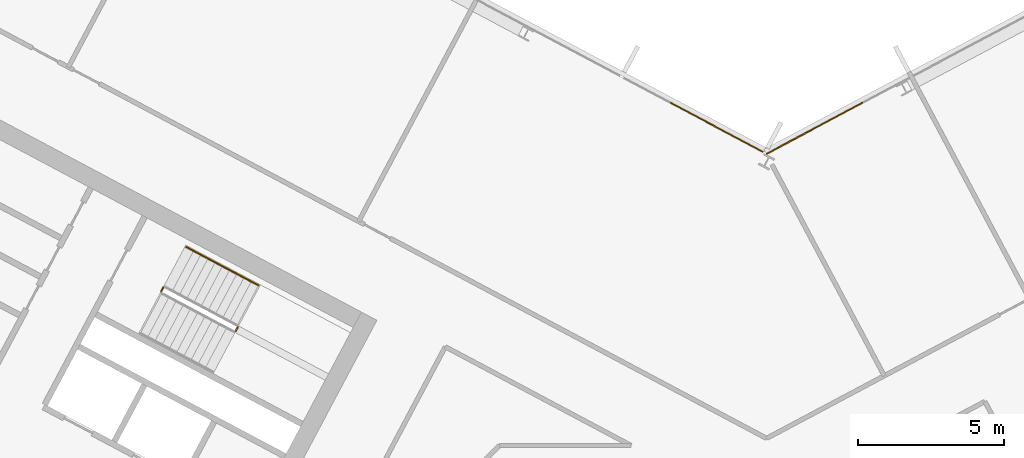
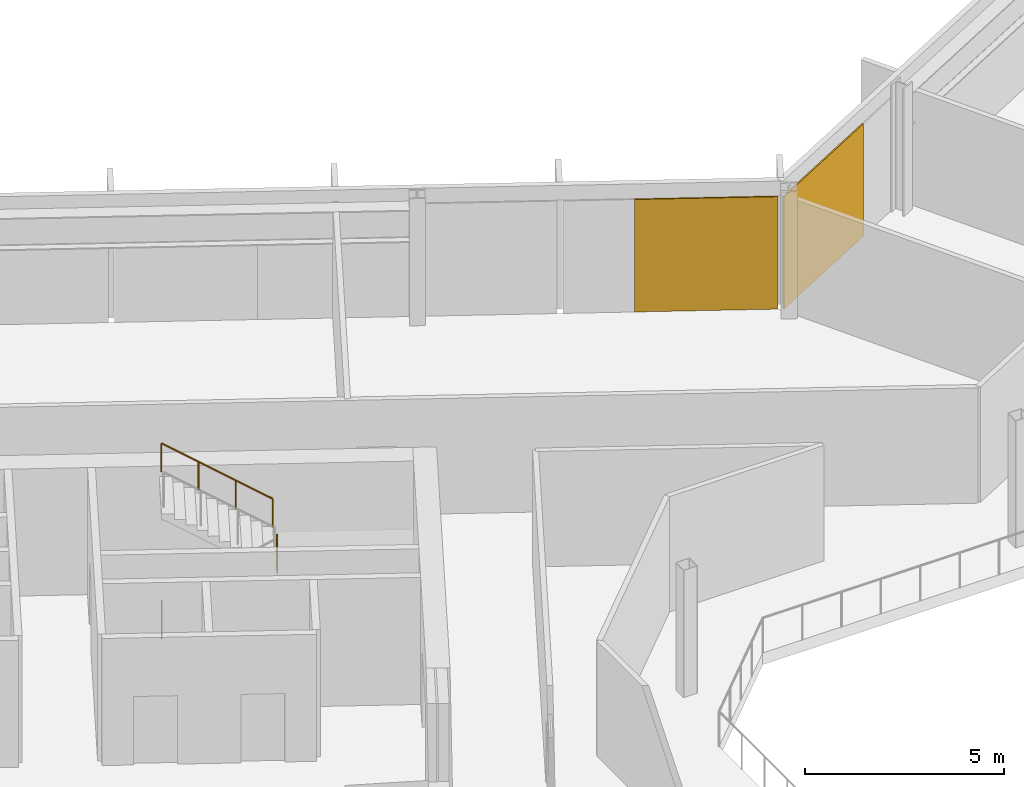
# One storey, part 23 of 27: 3 railings, 2 coverings, 2 elements without a shape of their own.
"""IFC4 building model written with IfcOpenShell, lengths in metres."""

from ifc_helpers import new_model, si_unit, direction, frame, origin, origin_2d, place, context, subcontext, project, spatial, polyline, rectangle, outline, extrude, material, layer, layer_set, type_object, element, aggregate, save


model = new_model("IFC4")

# Units and contexts
model_context = context("Model", 3, precision=1e-05, world=origin(), true_north=direction((0.0, 1.0)))
body_context = subcontext(model_context, "Body", "Model", "MODEL_VIEW")
ifc_project = project(units=[si_unit("LENGTHUNIT", "METRE"), si_unit("AREAUNIT", "SQUARE_METRE"), si_unit("VOLUMEUNIT", "CUBIC_METRE"), si_unit("PLANEANGLEUNIT", "RADIAN"), si_unit("MASSUNIT", "GRAM", prefix="KILO")], contexts=[model_context])

# Site, building, storey
site_placement = place(None, origin())
site = spatial("IfcSite", under=ifc_project, at=site_placement, CompositionType="ELEMENT")
building_placement = place(site_placement, origin())
building = spatial("IfcBuilding", under=site, at=building_placement, Name="Cormorant Relay Tower", CompositionType="ELEMENT")
storey_placement = place(building_placement, frame((0.0, 0.0, 209.10009765625)))
storey = spatial("IfcBuildingStorey", under=building, at=storey_placement, Name="L45", CompositionType="ELEMENT", Elevation=209.10009765625)

# Curtain wall, covering
ifc_material_1 = material(Name="Aluminium 6063-T6 anodised bronze", Category="aluminium")
ifc_layer_1 = layer(ifc_material_1, 0.199951171875)
ifc_layer_set_1 = layer_set([ifc_layer_1], Name="CW1 unitised bronze curtain wall with vertical fins")
curtain_wall_type = type_object("IfcCurtainWallType", Name="CW1 unitised bronze curtain wall with vertical fins", PredefinedType="NOTDEFINED", material=ifc_layer_set_1)
curtain_wall_1_placement = place(storey_placement, origin())
curtain_wall_1 = element("IfcCurtainWall", 1, at=curtain_wall_1_placement, inside=storey, type_object=curtain_wall_type, Name="CW1 curtain wall 8", PredefinedType="NOTDEFINED")
ifc_material_2 = material(Name="Pale bronze anodised aluminium insulated panel", Category="aluminium")
ifc_layer_2 = layer(ifc_material_2, 0.0400390625)
ifc_layer_set_2 = layer_set([ifc_layer_2], Name="CW1 pale bronze insulated panel 40")
covering_type = type_object("IfcCoveringType", Name="CW1 pale bronze insulated panel 40", PredefinedType="CLADDING", material=ifc_layer_set_2)
covering_1_placement = place(storey_placement, frame((1.65234375, 24.685302734375, 0.0), z_axis=(0.0, 0.0, 1.0), x_axis=(-0.882947592859, -0.469471562786, 0.0)))
covering_1 = element("IfcCovering", 2, at=covering_1_placement, type_object=covering_type, Name="CW1 panel S08", PredefinedType="CLADDING", context=body_context, shape_type="SweptSolid", body=[
    extrude(rectangle(XDim=3.763916015625, YDim=0.0400390625, at=origin_2d()), origin(), (0.0, 0.0, 1.0), 3.449951171875),
])
aggregate(curtain_wall_1, [covering_1])

curtain_wall_2_placement = place(storey_placement, origin())
curtain_wall_2 = element("IfcCurtainWall", 3, at=curtain_wall_2_placement, inside=storey, type_object=curtain_wall_type, Name="CW1 curtain wall 9", PredefinedType="NOTDEFINED")
covering_2_placement = place(storey_placement, frame((-1.718505859375, 24.720458984375, 0.0), z_axis=(0.0, 0.0, 1.0), x_axis=(-0.882947592859, 0.469471562786, 0.0)))
covering_2 = element("IfcCovering", 4, at=covering_2_placement, type_object=covering_type, Name="CW1 panel S00", PredefinedType="CLADDING", context=body_context, shape_type="SweptSolid", body=[
    extrude(rectangle(XDim=3.614013671875, YDim=0.0400390625, at=origin_2d()), origin(), (0.0, 0.0, 1.0), 3.449951171875),
])
aggregate(curtain_wall_2, [covering_2])

# Railings
ifc_material_3 = material(Name="Steel ASTM A572 Grade 50 (Fy 345 MPa)", Category="steel")
railing_type_1 = type_object("IfcRailingType", Name="Stair guard 1100", PredefinedType="GUARDRAIL", material=ifc_material_3)
railing_1_placement = place(storey_placement, frame((-18.210693359375, 17.72412109375, 1.949951171875)))
element("IfcRailing", 5, at=railing_1_placement, inside=storey, type_object=railing_type_1, Name="L45 A1 stair guard 2", PredefinedType="GUARDRAIL", context=body_context, shape_type="SweptSolid", body=[
    extrude(outline(polyline([(0.022216796875, 0.00927734375), (0.00927734375, 0.022216796875), (-0.00927734375, 0.022216796875), (-0.022216796875, 0.00927734375), (-0.022216796875, -0.00927734375), (-0.00927734375, -0.022216796875), (0.00927734375, -0.022216796875), (0.022216796875, -0.00927734375), (0.022216796875, 0.00927734375)])), frame((0.0, 0.0, 1.076171875), z_axis=(0.470503732759, 0.882398003998, 0.0), x_axis=(-0.882398003998, 0.470503732759, 0.0)), (0.0, 0.0, 1.0), 0.14990234375),
    extrude(outline(polyline([(0.019287109375, 0.008056640625), (0.008056640625, 0.019287109375), (-0.008056640625, 0.019287109375), (-0.019287109375, 0.008056640625), (-0.019287109375, -0.008056640625), (-0.008056640625, -0.019287109375), (0.008056640625, -0.019287109375), (0.019287109375, -0.008056640625), (0.019287109375, 0.008056640625)])), origin(), (0.0, 0.0, 1.0), 1.052001953125),
    extrude(outline(polyline([(0.019287109375, 0.008056640625), (0.008056640625, 0.019287109375), (-0.008056640625, 0.019287109375), (-0.019287109375, 0.008056640625), (-0.019287109375, -0.008056640625), (-0.008056640625, -0.019287109375), (0.008056640625, -0.019287109375), (0.019287109375, -0.008056640625), (0.019287109375, 0.008056640625)])), frame((0.070556640625, 0.13232421875, 0.0)), (0.0, 0.0, 1.0), 1.052001953125),
])
railing_2_placement = place(storey_placement, frame((-20.771240234375, 19.08544921875, 0.0)))
element("IfcRailing", 6, at=railing_2_placement, inside=storey, type_object=railing_type_1, Name="L45 A1 stair guard 4", PredefinedType="GUARDRAIL", context=body_context, shape_type="SweptSolid", body=[
    extrude(outline(polyline([(0.022216796875, 0.00927734375), (0.00927734375, 0.022216796875), (-0.00927734375, 0.022216796875), (-0.022216796875, 0.00927734375), (-0.022216796875, -0.00927734375), (-0.00927734375, -0.022216796875), (0.00927734375, -0.022216796875), (0.022216796875, -0.00927734375), (0.022216796875, 0.00927734375)])), frame((0.0, 0.0, 1.076171875), z_axis=(0.469828648786, 0.882757634224, 0.0), x_axis=(-0.882757634224, 0.469828648786, 0.0)), (0.0, 0.0, 1.0), 0.150146484375),
    extrude(outline(polyline([(0.019287109375, 0.008056640625), (0.008056640625, 0.019287109375), (-0.008056640625, 0.019287109375), (-0.019287109375, 0.008056640625), (-0.019287109375, -0.008056640625), (-0.008056640625, -0.019287109375), (0.008056640625, -0.019287109375), (0.019287109375, -0.008056640625), (0.019287109375, 0.008056640625)])), origin(), (0.0, 0.0, 1.0), 1.052001953125),
    extrude(outline(polyline([(0.019287109375, 0.008056640625), (0.008056640625, 0.019287109375), (-0.008056640625, 0.019287109375), (-0.019287109375, 0.008056640625), (-0.019287109375, -0.008056640625), (-0.008056640625, -0.019287109375), (0.008056640625, -0.019287109375), (0.019287109375, -0.008056640625), (0.019287109375, 0.008056640625)])), frame((0.070556640625, 0.132568359375, 0.0)), (0.0, 0.0, 1.0), 1.052001953125),
])
ifc_material_4 = material(Name="Steel ASTM A572 Grade 50 (Fy 345 MPa)", Category="steel")
railing_type_2 = type_object("IfcRailingType", Name="Stair handrail 900", PredefinedType="HANDRAIL", material=ifc_material_4)
railing_3_placement = place(storey_placement, frame((-17.433349609375, 19.292724609375, 2.127197265625)))
element("IfcRailing", 7, at=railing_3_placement, inside=storey, type_object=railing_type_2, Name="L45 A1 stair handrail 2", PredefinedType="HANDRAIL", context=body_context, shape_type="SweptSolid", body=[
    extrude(outline(polyline([(0.022216796875, 0.00927734375), (0.00927734375, 0.022216796875), (-0.00927734375, 0.022216796875), (-0.022216796875, 0.00927734375), (-0.022216796875, -0.00927734375), (-0.00927734375, -0.022216796875), (0.00927734375, -0.022216796875), (0.022216796875, -0.00927734375), (0.022216796875, 0.00927734375)])), frame((0.0, 0.0, 0.8759765625), z_axis=(-0.746001213114, 0.396649272309, 0.534931345884), x_axis=(-0.469465464807, -0.882950835185, 0.0)), (0.0, 0.0, 1.0), 3.31396484375),
    extrude(outline(polyline([(0.019287109375, 0.008056640625), (0.008056640625, 0.019287109375), (-0.008056640625, 0.019287109375), (-0.019287109375, 0.008056640625), (-0.019287109375, -0.008056640625), (-0.008056640625, -0.019287109375), (0.008056640625, -0.019287109375), (0.019287109375, -0.008056640625), (0.019287109375, 0.008056640625)])), origin(), (0.0, 0.0, 1.0), 0.851806640625),
    extrude(outline(polyline([(0.019287109375, 0.008056640625), (0.008056640625, 0.019287109375), (-0.008056640625, 0.019287109375), (-0.019287109375, 0.008056640625), (-0.019287109375, -0.008056640625), (-0.008056640625, -0.019287109375), (0.008056640625, -0.019287109375), (0.019287109375, -0.008056640625), (0.019287109375, 0.008056640625)])), frame((-0.823974609375, 0.438232421875, 0.5908203125)), (0.0, 0.0, 1.0), 0.851806640625),
    extrude(outline(polyline([(0.019287109375, 0.008056640625), (0.008056640625, 0.019287109375), (-0.008056640625, 0.019287109375), (-0.019287109375, 0.008056640625), (-0.019287109375, -0.008056640625), (-0.008056640625, -0.019287109375), (0.008056640625, -0.019287109375), (0.019287109375, -0.008056640625), (0.019287109375, 0.008056640625)])), frame((-1.648193359375, 0.876220703125, 1.181884765625)), (0.0, 0.0, 1.0), 0.851806640625),
    extrude(outline(polyline([(0.019287109375, 0.008056640625), (0.008056640625, 0.019287109375), (-0.008056640625, 0.019287109375), (-0.019287109375, 0.008056640625), (-0.019287109375, -0.008056640625), (-0.008056640625, -0.019287109375), (0.008056640625, -0.019287109375), (0.019287109375, -0.008056640625), (0.019287109375, 0.008056640625)])), frame((-2.47216796875, 1.314453125, 1.772705078125)), (0.0, 0.0, 1.0), 0.851806640625),
])

save(model, "model.ifc")
